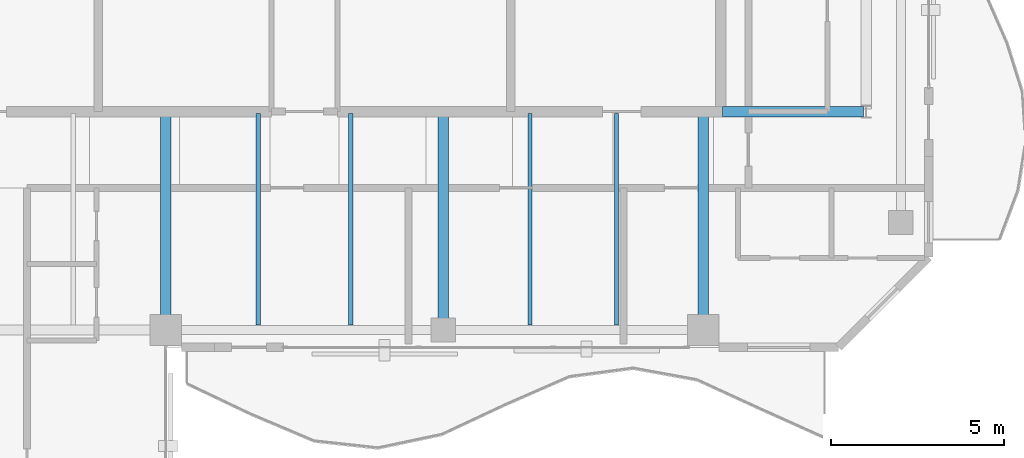
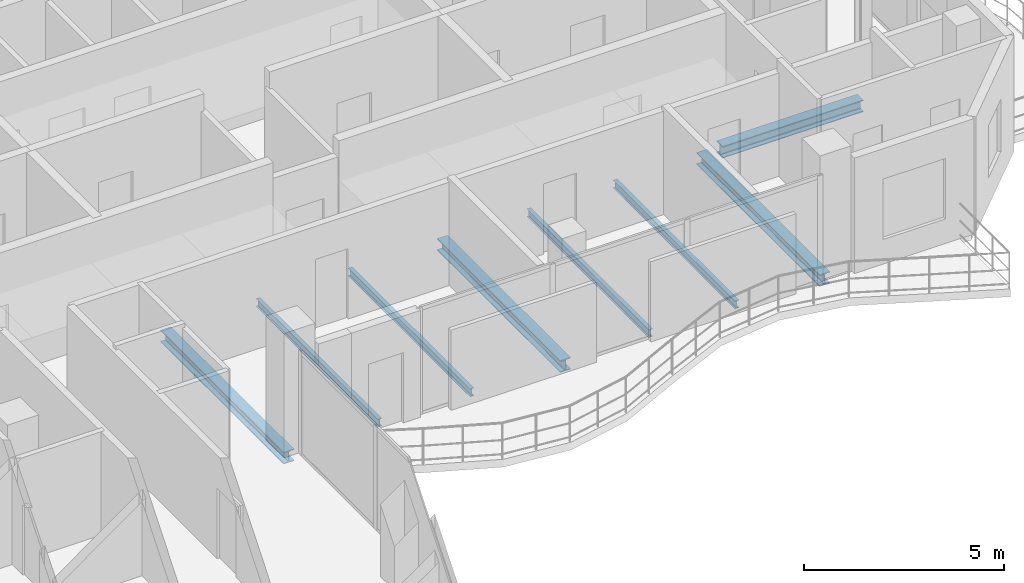
# One storey, part 10 of 17: 8 beams.
"""IFC4 building model written with IfcOpenShell, lengths in metres."""

from ifc_helpers import new_model, si_unit, direction, frame, origin, origin_2d, place, context, subcontext, project, spatial, i_section, extrude, material, material_profile, profile_set, type_object, element, save


model = new_model("IFC4")

# Units and contexts
model_context = context("Model", 3, precision=1e-05, world=origin(), true_north=direction((0.0, 1.0)))
body_context = subcontext(model_context, "Body", "Model", "MODEL_VIEW")
ifc_project = project(units=[si_unit("LENGTHUNIT", "METRE"), si_unit("AREAUNIT", "SQUARE_METRE"), si_unit("VOLUMEUNIT", "CUBIC_METRE"), si_unit("PLANEANGLEUNIT", "RADIAN"), si_unit("MASSUNIT", "GRAM", prefix="KILO")], contexts=[model_context])

# Site, building, storey
site_placement = place(None, origin())
site = spatial("IfcSite", under=ifc_project, at=site_placement, CompositionType="ELEMENT")
building_placement = place(site_placement, origin())
building = spatial("IfcBuilding", under=site, at=building_placement, Name="Catumbela Crestline Tower", CompositionType="ELEMENT")
storey_placement = place(building_placement, frame((0.0, 0.0, 271.6)))
storey = spatial("IfcBuildingStorey", under=building, at=storey_placement, Name="L70", CompositionType="ELEMENT", Elevation=271.6)

# Beams
ifc_material = material(Name="Structural steel S355J2", Category="steel")
ifc_material_profile_1 = material_profile(ifc_material, i_section(OverallWidth=0.3, OverallDepth=0.36, WebThickness=0.0125, FlangeThickness=0.0225, FilletRadius=0.027, at=origin_2d()), Name="HEB 360")
ifc_profile_set_1 = profile_set([ifc_material_profile_1], Name="Structural steel S355J2")
beam_type_1 = type_object("IfcBeamType", Name="BG-HEB360", PredefinedType="BEAM", material=ifc_profile_set_1)
beam_placement = place(storey_placement, frame((40.05, 30.8, -0.44), z_axis=(1.0, 0.0, 0.0), x_axis=(0.0, 1.0, 0.0)))
element("IfcBeam", 1, at=beam_placement, inside=storey, type_object=beam_type_1, Name="L70 Beam BM-L70-M04", PredefinedType="BEAM", context=body_context, shape_type="SweptSolid", body=[
    extrude(i_section(OverallWidth=0.3, OverallDepth=0.36, WebThickness=0.0125, FlangeThickness=0.0225, FilletRadius=0.027, at=origin_2d()), origin(), (0.0, 0.0, 1.0), 4.07),
])
for number, where, z_axis, x_axis, name in (
    (2, (24.0, 24.58, -0.44), (0.0, 1.0, 0.0), (-1.0, 0.0, 0.0), "L70 Beam BM-L70-SNS07"),
    (3, (32.0, 24.58, -0.44), (0.0, 1.0, 0.0), (-1.0, 0.0, 0.0), "L70 Beam BM-L70-SNS08"),
    (4, (39.5, 24.58, -0.44), (0.0, 1.0, 0.0), (-1.0, 0.0, 0.0), "L70 Beam BM-L70-SNS09"),
):
    element("IfcBeam", number, at=place(storey_placement, frame(where, z_axis=z_axis, x_axis=x_axis)), inside=storey, type_object=beam_type_1, Name=name, PredefinedType="BEAM", context=body_context, shape_type="SweptSolid", body=[
        extrude(i_section(OverallWidth=0.3, OverallDepth=0.36, WebThickness=0.0125, FlangeThickness=0.0225, FilletRadius=0.027, at=origin_2d()), origin(), (0.0, 0.0, 1.0), 6.17),
    ])
ifc_material_profile_2 = material_profile(ifc_material, i_section(OverallWidth=0.12, OverallDepth=0.24, WebThickness=0.0062, FlangeThickness=0.0098, FilletRadius=0.015, at=origin_2d()), Name="IPE 240")
ifc_profile_set_2 = profile_set([ifc_material_profile_2], Name="Structural steel S355J2")
beam_type_2 = type_object("IfcBeamType", Name="BJ-IPE240", PredefinedType="JOIST", material=ifc_profile_set_2)
for number, where, z_axis, x_axis, name in (
    (5, (26.667, 24.647, -0.38), (0.0, 1.0, 0.0), (-1.0, 0.0, 0.0), "L70 Joist JS-L70-SP14"),
    (6, (29.333, 24.647, -0.38), (0.0, 1.0, 0.0), (-1.0, 0.0, 0.0), "L70 Joist JS-L70-SP15"),
    (7, (34.5, 24.647, -0.38), (0.0, 1.0, 0.0), (-1.0, 0.0, 0.0), "L70 Joist JS-L70-SP16"),
    (8, (37.0, 24.647, -0.38), (0.0, 1.0, 0.0), (-1.0, 0.0, 0.0), "L70 Joist JS-L70-SP17"),
):
    element("IfcBeam", number, at=place(storey_placement, frame(where, z_axis=z_axis, x_axis=x_axis)), inside=storey, type_object=beam_type_2, Name=name, PredefinedType="JOIST", context=body_context, shape_type="SweptSolid", body=[
        extrude(i_section(OverallWidth=0.12, OverallDepth=0.24, WebThickness=0.0062, FlangeThickness=0.0098, FilletRadius=0.015, at=origin_2d()), origin(), (0.0, 0.0, 1.0), 6.103),
    ])

save(model, "model.ifc")
